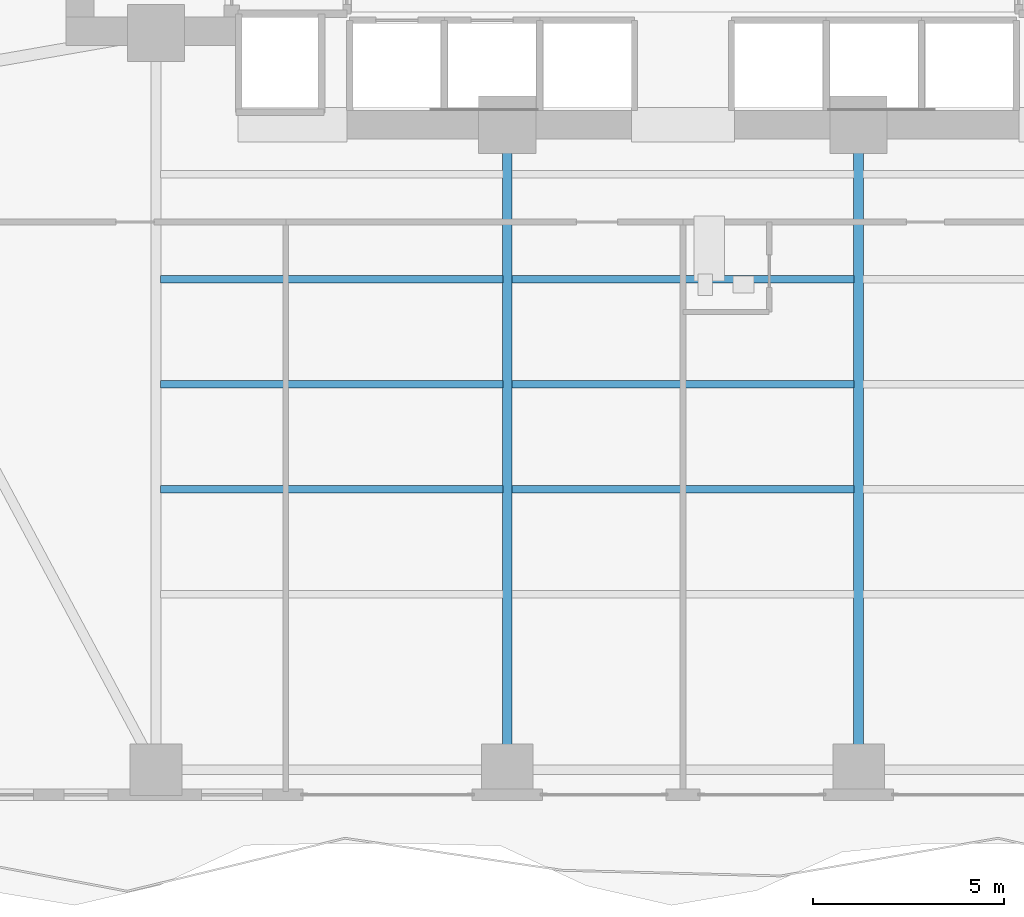
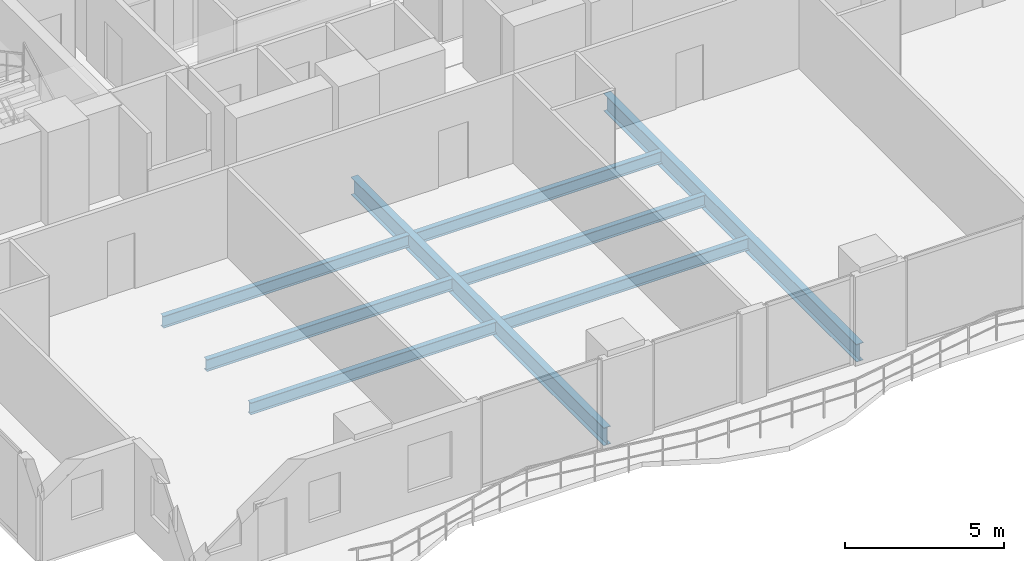
# One storey, part 6 of 30: 8 beams.
"""IFC4 building model written with IfcOpenShell, lengths in metres."""

from ifc_helpers import new_model, si_unit, direction, frame, origin, origin_2d, place, context, subcontext, project, spatial, i_section, extrude, material, material_profile, profile_set, type_object, element, save


model = new_model("IFC4")

# Units and contexts
model_context = context("Model", 3, precision=1e-05, world=origin(), true_north=direction((0.0, 1.0)))
body_context = subcontext(model_context, "Body", "Model", "MODEL_VIEW")
ifc_project = project(units=[si_unit("LENGTHUNIT", "METRE"), si_unit("AREAUNIT", "SQUARE_METRE"), si_unit("VOLUMEUNIT", "CUBIC_METRE"), si_unit("PLANEANGLEUNIT", "RADIAN"), si_unit("MASSUNIT", "GRAM", prefix="KILO")], contexts=[model_context])

# Site, building, storey
site_placement = place(None, origin())
site = spatial("IfcSite", under=ifc_project, at=site_placement, CompositionType="ELEMENT")
building_placement = place(site_placement, origin())
building = spatial("IfcBuilding", under=site, at=building_placement, Name="Zuhayl Quay Hotel", CompositionType="ELEMENT")
storey_placement = place(building_placement, frame((0.0, 0.0, 128.5)))
storey = spatial("IfcBuildingStorey", under=building, at=storey_placement, Name="L32", CompositionType="ELEMENT", Elevation=128.5)

# Beams
ifc_material = material(Name="Steel ASTM A992 Grade 50", Category="steel")
ifc_material_profile_1 = material_profile(ifc_material, i_section(OverallWidth=0.25390625, OverallDepth=0.68310546875, WebThickness=0.012451171875, FlangeThickness=0.018798828125, at=origin_2d()), Name="W27X94")
ifc_profile_set_1 = profile_set([ifc_material_profile_1], Name="Steel ASTM A992 Grade 50")
beam_type_1 = type_object("IfcBeamType", Name="BM_B2_W27X94", PredefinedType="BEAM", material=ifc_profile_set_1)
for number, where, z_axis, x_axis, name in (
    (1, (-4.60009765625, -14.25, -0.5615234375), (0.0, 1.0, 0.0), (-1.0, 0.0, 0.0), "L32 Floor Beam FG_S_L32_2"),
    (2, (4.60009765625, -14.25, -0.5615234375), (0.0, 1.0, 0.0), (-1.0, 0.0, 0.0), "L32 Floor Beam FG_S_L32_3"),
):
    element("IfcBeam", number, at=place(storey_placement, frame(where, z_axis=z_axis, x_axis=x_axis)), inside=storey, type_object=beam_type_1, Name=name, PredefinedType="BEAM", context=body_context, shape_type="SweptSolid", body=[
        extrude(i_section(OverallWidth=0.25390625, OverallDepth=0.68310546875, WebThickness=0.012451171875, FlangeThickness=0.018798828125, at=origin_2d()), origin(), (0.0, 0.0, 1.0), 15.949951171875),
    ])
ifc_material_profile_2 = material_profile(ifc_material, i_section(OverallWidth=0.18994140625, OverallDepth=0.45703125, WebThickness=0.009033203125, FlangeThickness=0.014404296875, at=origin_2d()), Name="W18X50")
ifc_profile_set_2 = profile_set([ifc_material_profile_2], Name="Steel ASTM A992 Grade 50")
beam_type_2 = type_object("IfcBeamType", Name="BM_J2_W18X50", PredefinedType="JOIST", material=ifc_profile_set_2)
for number, where, z_axis, x_axis, name in (
    (3, (-13.680908203125, -7.39990234375, -0.448486328125), (1.0, 0.0, 0.0), (0.0, 1.0, 0.0), "L32 Floor Beam FJ_L32_6_1"),
    (4, (-4.48095703125, -7.39990234375, -0.448486328125), (1.0, 0.0, 0.0), (0.0, 1.0, 0.0), "L32 Floor Beam FJ_L32_6_2"),
    (5, (-13.680908203125, -4.64990234375, -0.448486328125), (1.0, 0.0, 0.0), (0.0, 1.0, 0.0), "L32 Floor Beam FJ_L32_7_1"),
    (6, (-4.48095703125, -4.64990234375, -0.448486328125), (1.0, 0.0, 0.0), (0.0, 1.0, 0.0), "L32 Floor Beam FJ_L32_7_2"),
    (7, (-13.680908203125, -1.89990234375, -0.448486328125), (1.0, 0.0, 0.0), (0.0, 1.0, 0.0), "L32 Floor Beam FJ_L32_8_1"),
    (8, (-4.48095703125, -1.89990234375, -0.448486328125), (1.0, 0.0, 0.0), (0.0, 1.0, 0.0), "L32 Floor Beam FJ_L32_8_2"),
):
    element("IfcBeam", number, at=place(storey_placement, frame(where, z_axis=z_axis, x_axis=x_axis)), inside=storey, type_object=beam_type_2, Name=name, PredefinedType="JOIST", context=body_context, shape_type="SweptSolid", body=[
        extrude(i_section(OverallWidth=0.18994140625, OverallDepth=0.45703125, WebThickness=0.009033203125, FlangeThickness=0.014404296875, at=origin_2d()), origin(), (0.0, 0.0, 1.0), 8.9619140625),
    ])

save(model, "model.ifc")
